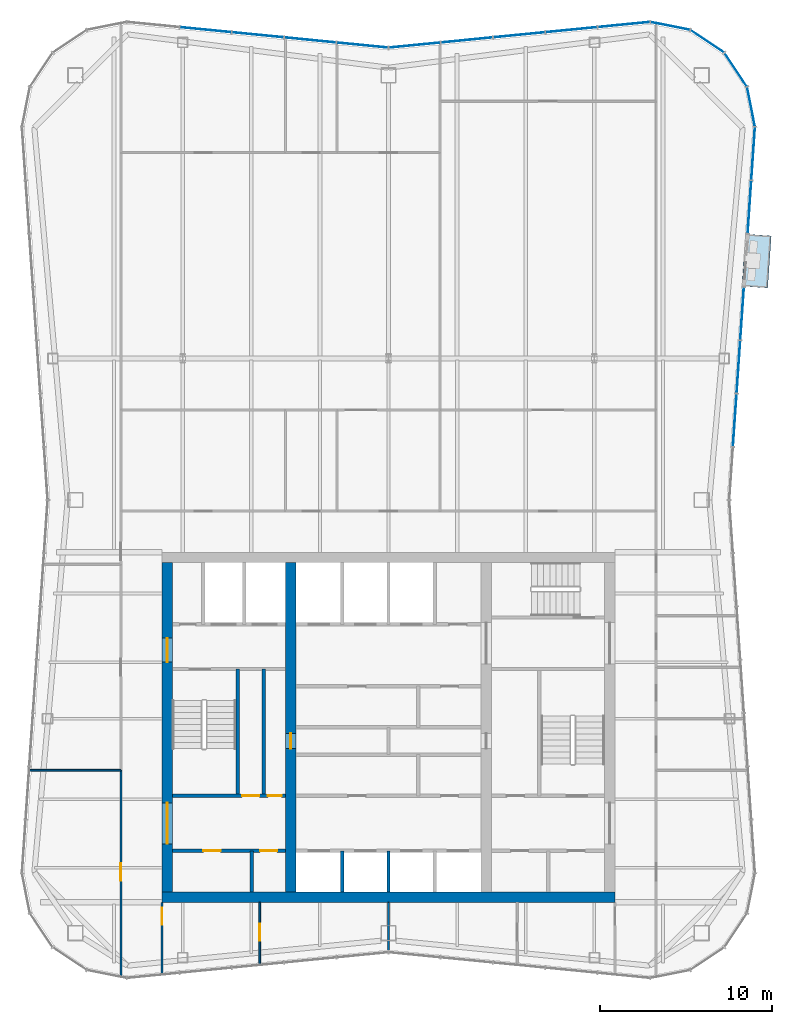
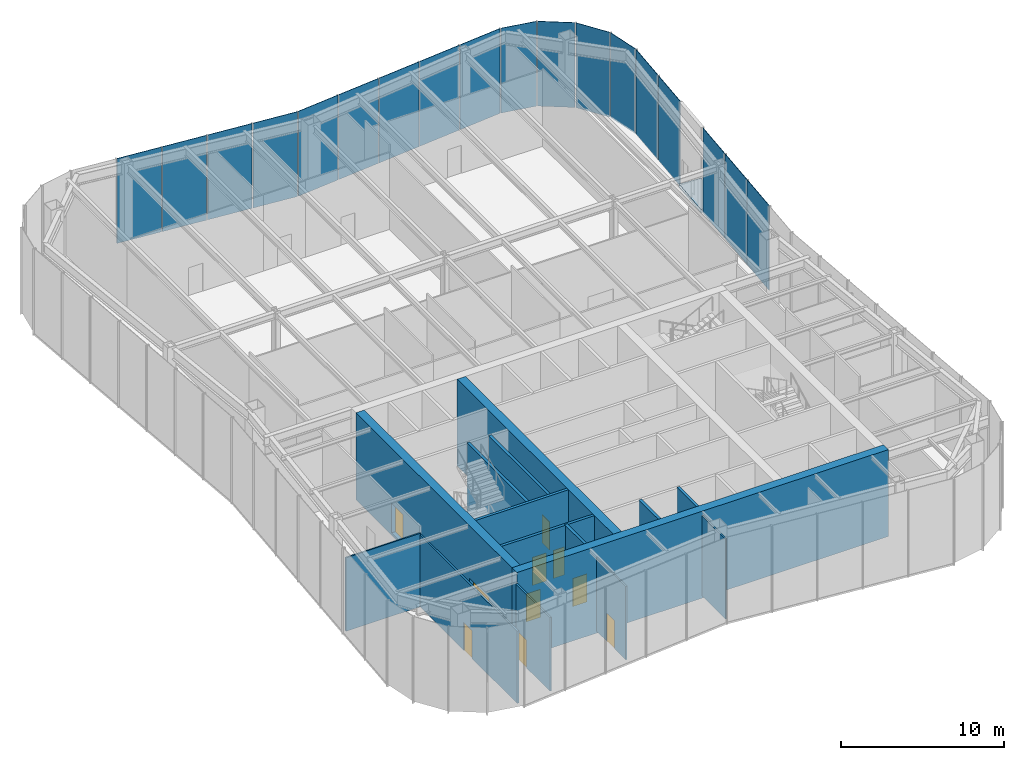
# One storey, part 9 of 15: 18 plates, 15 walls, 10 doors, 1 slab, 10 openings, 3 elements without a shape of their own.
"""IFC4 building model written with IfcOpenShell, lengths in metres."""

from ifc_helpers import new_model, si_unit, direction, frame, frame_2d, origin, origin_2d, place, context, subcontext, project, spatial, polyline, rectangle, outline, extrude, material, layer, layer_set, type_object, element, fill, aggregate, save


model = new_model("IFC4")

# Units and contexts
model_context = context("Model", 3, precision=1e-05, world=origin(), true_north=direction((0.0, 1.0)))
body_context = subcontext(model_context, "Body", "Model", "MODEL_VIEW")
ifc_project = project(units=[si_unit("LENGTHUNIT", "METRE"), si_unit("AREAUNIT", "SQUARE_METRE"), si_unit("VOLUMEUNIT", "CUBIC_METRE"), si_unit("PLANEANGLEUNIT", "RADIAN"), si_unit("MASSUNIT", "GRAM", prefix="KILO")], contexts=[model_context])

# Site, building, storey
site_placement = place(None, origin())
site = spatial("IfcSite", under=ifc_project, at=site_placement, CompositionType="ELEMENT")
building_placement = place(site_placement, origin())
building = spatial("IfcBuilding", under=site, at=building_placement, Name="Verdant Reach Tower", CompositionType="ELEMENT")
storey_placement = place(building_placement, frame((0.0, 0.0, 334.0)))
storey = spatial("IfcBuildingStorey", under=building, at=storey_placement, Name="L77", CompositionType="ELEMENT", Elevation=334.0)

# Slab
ifc_material_1 = material(Name="Concrete C35/45", Category="concrete")
ifc_layer_1 = layer(ifc_material_1, 0.25)
ifc_layer_set_1 = layer_set([ifc_layer_1], Name="EN-BALCONY SLAB")
slab_type = type_object("IfcSlabType", Name="EN-BALCONY SLAB", PredefinedType="FLOOR", material=ifc_layer_set_1)
slab_placement = place(storey_placement, frame((0.0, 0.0, -0.25)))
element("IfcSlab", 1, at=slab_placement, inside=storey, type_object=slab_type, Name="Balcony slab 1, L77", PredefinedType="FLOOR", context=body_context, shape_type="SweptSolid", body=[
    extrude(outline(polyline([(20.609619140625, 53.71337890625), (20.819091796875, 56.750732421875), (22.3154296875, 56.647705078125), (22.10595703125, 53.6103515625), (20.609619140625, 53.71337890625)])), origin(), (0.0, 0.0, 1.0), 0.25),
])

# Curtain wall, plates
ifc_material_2 = material(Name="Anodised aluminium", Category="aluminium")
curtain_wall_type = type_object("IfcCurtainWallType", Name="EN-CW SYSTEM Z5", PredefinedType="NOTDEFINED", material=ifc_material_2)
curtain_wall_1_placement = place(storey_placement, origin())
curtain_wall_1 = element("IfcCurtainWall", 2, at=curtain_wall_1_placement, inside=storey, type_object=curtain_wall_type, Name="Curtain wall east, L77", PredefinedType="NOTDEFINED")
ifc_material_3 = material(Name="Clear laminated glass", Category="glass")
ifc_layer_2 = layer(ifc_material_3, 0.035888671875)
ifc_layer_set_2 = layer_set([ifc_layer_2], Name="EN-PANEL CLEAR")
plate_type = type_object("IfcPlateType", Name="EN-PANEL CLEAR", PredefinedType="CURTAIN_PANEL", material=ifc_layer_set_2)
plate_1_placement = place(storey_placement, frame((20.18603515625, 45.90283203125, -0.219970703125), z_axis=(0.0, 0.0, 1.0), x_axis=(0.068802091615, 0.997630328423, 0.0)))
plate_1 = element("IfcPlate", 3, at=plate_1_placement, type_object=plate_type, Name="Glass panel east face part 2 2.1, L77", PredefinedType="CURTAIN_PANEL", context=body_context, shape_type="SweptSolid", body=[
    extrude(rectangle(XDim=3.048583984375, YDim=0.035888671875, at=origin_2d()), origin(), (0.0, 0.0, 1.0), 6.3701171875),
])
plate_2_placement = place(storey_placement, frame((20.400390625, 49.010009765625, -0.219970703125), z_axis=(0.0, 0.0, 1.0), x_axis=(0.068802091615, 0.997630328423, 0.0)))
plate_2 = element("IfcPlate", 4, at=plate_2_placement, type_object=plate_type, Name="Glass panel east face part 2 3.1, L77", PredefinedType="CURTAIN_PANEL", context=body_context, shape_type="SweptSolid", body=[
    extrude(rectangle(XDim=3.048583984375, YDim=0.035888671875, at=origin_2d()), origin(), (0.0, 0.0, 1.0), 6.3701171875),
])
plate_3_placement = place(storey_placement, frame((20.61474609375, 52.1171875, -0.219970703125), z_axis=(0.0, 0.0, 1.0), x_axis=(0.068802091615, 0.997630328423, 0.0)))
plate_3 = element("IfcPlate", 5, at=plate_3_placement, type_object=plate_type, Name="Glass panel east face part 2 4.1, L77", PredefinedType="CURTAIN_PANEL", context=body_context, shape_type="SweptSolid", body=[
    extrude(rectangle(XDim=3.048583984375, YDim=0.035888671875, at=origin_2d()), origin(), (0.0, 0.0, 1.0), 6.3701171875),
])
plate_4_placement = place(storey_placement, frame((21.043212890625, 58.331298828125, -0.219970703125), z_axis=(0.0, 0.0, 1.0), x_axis=(0.068802091615, 0.997630328423, 0.0)))
plate_4 = element("IfcPlate", 6, at=plate_4_placement, type_object=plate_type, Name="Glass panel east face part 2 6.1, L77", PredefinedType="CURTAIN_PANEL", context=body_context, shape_type="SweptSolid", body=[
    extrude(rectangle(XDim=3.048583984375, YDim=0.035888671875, at=origin_2d()), origin(), (0.0, 0.0, 1.0), 6.3701171875),
])
plate_5_placement = place(storey_placement, frame((21.257568359375, 61.446044921875, -0.219970703125), z_axis=(0.0, 0.0, 1.0), x_axis=(0.068480299779, 0.99765246882, 0.0)))
plate_5 = element("IfcPlate", 7, at=plate_5_placement, type_object=plate_type, Name="Glass panel east face part 2 7.1, L77", PredefinedType="CURTAIN_PANEL", context=body_context, shape_type="SweptSolid", body=[
    extrude(rectangle(XDim=3.063720703125, YDim=0.035888671875, at=origin_2d()), origin(), (0.0, 0.0, 1.0), 6.3701171875),
])
aggregate(curtain_wall_1, [plate_1, plate_2, plate_3, plate_4, plate_5])

curtain_wall_2_placement = place(storey_placement, origin())
curtain_wall_2 = element("IfcCurtainWall", 8, at=curtain_wall_2_placement, inside=storey, type_object=curtain_wall_type, Name="Curtain wall north-east corner, L77", PredefinedType="NOTDEFINED")
plate_6_placement = place(storey_placement, frame((21.132080078125, 64.173828125, -0.219970703125), z_axis=(0.0, 0.0, 1.0), x_axis=(-0.195576026696, 0.980688542699, 0.0)))
plate_6 = element("IfcPlate", 9, at=plate_6_placement, type_object=plate_type, Name="Glass panel north-east corner 1.1, L77", PredefinedType="CURTAIN_PANEL", context=body_context, shape_type="SweptSolid", body=[
    extrude(rectangle(XDim=2.312744140625, YDim=0.035888671875, at=origin_2d()), origin(), (0.0, 0.0, 1.0), 6.3701171875),
])
plate_7_placement = place(storey_placement, frame((20.23681640625, 66.33203125, -0.219970703125), z_axis=(0.0, 0.0, 1.0), x_axis=(-0.555596480355, 0.831452073794, 0.0)))
plate_7 = element("IfcPlate", 10, at=plate_7_placement, type_object=plate_type, Name="Glass panel north-east corner 2.1, L77", PredefinedType="CURTAIN_PANEL", context=body_context, shape_type="SweptSolid", body=[
    extrude(rectangle(XDim=2.320068359375, YDim=0.035888671875, at=origin_2d()), origin(), (0.0, 0.0, 1.0), 6.3701171875),
])
plate_8_placement = place(storey_placement, frame((18.58203125, 67.98681640625, -0.219970703125), z_axis=(0.0, 0.0, 1.0), x_axis=(-0.831452073794, 0.555596480355, 0.0)))
plate_8 = element("IfcPlate", 11, at=plate_8_placement, type_object=plate_type, Name="Glass panel north-east corner 3.1, L77", PredefinedType="CURTAIN_PANEL", context=body_context, shape_type="SweptSolid", body=[
    extrude(rectangle(XDim=2.320068359375, YDim=0.035888671875, at=origin_2d()), origin(), (0.0, 0.0, 1.0), 6.3701171875),
])
plate_9_placement = place(storey_placement, frame((16.4228515625, 68.88232421875, -0.219970703125), z_axis=(0.0, 0.0, 1.0), x_axis=(-0.980707834885, 0.195479263851, 0.0)))
plate_9 = element("IfcPlate", 12, at=plate_9_placement, type_object=plate_type, Name="Glass panel north-east corner 4.1, L77", PredefinedType="CURTAIN_PANEL", context=body_context, shape_type="SweptSolid", body=[
    extrude(rectangle(XDim=2.314453125, YDim=0.035888671875, at=origin_2d()), origin(), (0.0, 0.0, 1.0), 6.3701171875),
])
aggregate(curtain_wall_2, [plate_6, plate_7, plate_8, plate_9])

curtain_wall_3_placement = place(storey_placement, origin())
curtain_wall_3 = element("IfcCurtainWall", 13, at=curtain_wall_3_placement, inside=storey, type_object=curtain_wall_type, Name="Curtain wall north, L77", PredefinedType="NOTDEFINED")
plate_10_placement = place(storey_placement, frame((13.72216796875, 68.964599609375, -0.219970703125), z_axis=(0.0, 0.0, 1.0), x_axis=(-0.995236831236, -0.097486664476, 0.0)))
plate_10 = element("IfcPlate", 14, at=plate_10_placement, type_object=plate_type, Name="Glass panel north face part 1 1.1, L77", PredefinedType="CURTAIN_PANEL", context=body_context, shape_type="SweptSolid", body=[
    extrude(rectangle(XDim=3.015625, YDim=0.035888671875, at=origin_2d()), origin(), (0.0, 0.0, 1.0), 6.3701171875),
])
plate_11_placement = place(storey_placement, frame((10.663818359375, 68.66455078125, -0.219970703125), z_axis=(0.0, 0.0, 1.0), x_axis=(-0.995197410875, -0.09788826992, 0.0)))
plate_11 = element("IfcPlate", 15, at=plate_11_placement, type_object=plate_type, Name="Glass panel north face part 1 2.1, L77", PredefinedType="CURTAIN_PANEL", context=body_context, shape_type="SweptSolid", body=[
    extrude(rectangle(XDim=2.998779296875, YDim=0.035888671875, at=origin_2d()), origin(), (0.0, 0.0, 1.0), 6.3701171875),
])
plate_12_placement = place(storey_placement, frame((7.61376953125, 68.364501953125, -0.219970703125), z_axis=(0.0, 0.0, 1.0), x_axis=(-0.995197410875, -0.09788826992, 0.0)))
plate_12 = element("IfcPlate", 16, at=plate_12_placement, type_object=plate_type, Name="Glass panel north face part 1 3.1, L77", PredefinedType="CURTAIN_PANEL", context=body_context, shape_type="SweptSolid", body=[
    extrude(rectangle(XDim=2.998779296875, YDim=0.035888671875, at=origin_2d()), origin(), (0.0, 0.0, 1.0), 6.3701171875),
])
plate_13_placement = place(storey_placement, frame((4.563720703125, 68.064453125, -0.219970703125), z_axis=(0.0, 0.0, 1.0), x_axis=(-0.995197410875, -0.09788826992, 0.0)))
plate_13 = element("IfcPlate", 17, at=plate_13_placement, type_object=plate_type, Name="Glass panel north face part 1 4.1, L77", PredefinedType="CURTAIN_PANEL", context=body_context, shape_type="SweptSolid", body=[
    extrude(rectangle(XDim=2.998779296875, YDim=0.035888671875, at=origin_2d()), origin(), (0.0, 0.0, 1.0), 6.3701171875),
])
plate_14_placement = place(storey_placement, frame((1.519287109375, 67.7646484375, -0.219970703125), z_axis=(0.0, 0.0, 1.0), x_axis=(-0.995179688961, -0.098068275603, 0.0)))
plate_14 = element("IfcPlate", 18, at=plate_14_placement, type_object=plate_type, Name="Glass panel north face part 1 5.1, L77", PredefinedType="CURTAIN_PANEL", context=body_context, shape_type="SweptSolid", body=[
    extrude(rectangle(XDim=2.987548828125, YDim=0.035888671875, at=origin_2d()), origin(), (0.0, 0.0, 1.0), 6.3701171875),
])
plate_15_placement = place(storey_placement, frame((-1.519287109375, 67.7646484375, -0.219970703125), z_axis=(0.0, 0.0, 1.0), x_axis=(-0.995179688961, 0.098068275603, 0.0)))
plate_15 = element("IfcPlate", 19, at=plate_15_placement, type_object=plate_type, Name="Glass panel north face part 2 1.1, L77", PredefinedType="CURTAIN_PANEL", context=body_context, shape_type="SweptSolid", body=[
    extrude(rectangle(XDim=2.987548828125, YDim=0.035888671875, at=origin_2d()), origin(), (0.0, 0.0, 1.0), 6.3701171875),
])
plate_16_placement = place(storey_placement, frame((-4.563720703125, 68.064453125, -0.219970703125), z_axis=(0.0, 0.0, 1.0), x_axis=(-0.995197410875, 0.09788826992, 0.0)))
plate_16 = element("IfcPlate", 20, at=plate_16_placement, type_object=plate_type, Name="Glass panel north face part 2 2.1, L77", PredefinedType="CURTAIN_PANEL", context=body_context, shape_type="SweptSolid", body=[
    extrude(rectangle(XDim=2.998779296875, YDim=0.035888671875, at=origin_2d()), origin(), (0.0, 0.0, 1.0), 6.3701171875),
])
plate_17_placement = place(storey_placement, frame((-7.61376953125, 68.364501953125, -0.219970703125), z_axis=(0.0, 0.0, 1.0), x_axis=(-0.995197410875, 0.09788826992, 0.0)))
plate_17 = element("IfcPlate", 21, at=plate_17_placement, type_object=plate_type, Name="Glass panel north face part 2 3.1, L77", PredefinedType="CURTAIN_PANEL", context=body_context, shape_type="SweptSolid", body=[
    extrude(rectangle(XDim=2.998779296875, YDim=0.035888671875, at=origin_2d()), origin(), (0.0, 0.0, 1.0), 6.3701171875),
])
plate_18_placement = place(storey_placement, frame((-10.663818359375, 68.66455078125, -0.219970703125), z_axis=(0.0, 0.0, 1.0), x_axis=(-0.995197410875, 0.09788826992, 0.0)))
plate_18 = element("IfcPlate", 22, at=plate_18_placement, type_object=plate_type, Name="Glass panel north face part 2 4.1, L77", PredefinedType="CURTAIN_PANEL", context=body_context, shape_type="SweptSolid", body=[
    extrude(rectangle(XDim=2.998779296875, YDim=0.035888671875, at=origin_2d()), origin(), (0.0, 0.0, 1.0), 6.3701171875),
])
aggregate(curtain_wall_3, [plate_10, plate_11, plate_12, plate_13, plate_14, plate_15, plate_16, plate_17, plate_18])

# Wall, openings, doors
ifc_material_4 = material(Name="Gypsum board on steel studs", Category="steel")
ifc_layer_3 = layer(ifc_material_4, 0.199951171875)
ifc_layer_set_3 = layer_set([ifc_layer_3], Name="CO-WALL-ROOM")
wall_type_1 = type_object("IfcWallType", Name="CO-WALL-ROOM", PredefinedType="PARTITIONING", material=ifc_layer_set_3)
wall_1_placement = place(storey_placement, frame((-12.60009765625, 20.800048828125, 0.0), z_axis=(0.0, 0.0, 1.0), x_axis=(1.0, 0.0, 0.0)))
wall_1 = element("IfcWall", 23, at=wall_1_placement, inside=storey, type_object=wall_type_1, Name="Core partition, L77", PredefinedType="PARTITIONING", context=body_context, shape_type="SweptSolid", body=[
    extrude(rectangle(XDim=6.60009765625, YDim=0.199951171875, at=frame_2d((3.300048828125, 0.0))), origin(), (0.0, 0.0, 1.0), 6.35009765625),
])
opening_1_placement = place(wall_1_placement, frame((1.81005859375, 0.0, 0.0)))
opening_1 = element("IfcOpeningElement", 24, at=opening_1_placement, cuts=wall_1, Name="Opening CD", PredefinedType="OPENING", context=body_context, shape_type="SweptSolid", body=[
    extrude(rectangle(XDim=1.0, YDim=2.10009765625, at=frame_2d((0.5, 1.050048828125))), frame((0.0, 0.10986328125, 0.0), z_axis=(0.0, -1.0, 0.0), x_axis=(1.0, 0.0, 0.0)), (0.0, 0.0, 1.0), 0.219970703125),
])
opening_2_placement = place(wall_1_placement, frame((5.110107421875, 0.0, 0.0)))
opening_2 = element("IfcOpeningElement", 25, at=opening_2_placement, cuts=wall_1, Name="Opening CD", PredefinedType="OPENING", context=body_context, shape_type="SweptSolid", body=[
    extrude(rectangle(XDim=1.0, YDim=2.10009765625, at=frame_2d((0.5, 1.050048828125))), frame((0.0, 0.10986328125, 0.0), z_axis=(0.0, -1.0, 0.0), x_axis=(1.0, 0.0, 0.0)), (0.0, 0.0, 1.0), 0.219970703125),
])
ifc_material_5 = material(Name="Timber", Category="wood")
door_type_1 = type_object("IfcDoorType", Name="CO-DOOR-ROOM", OperationType="NOTDEFINED", PredefinedType="DOOR", material=ifc_material_5)
door_1_placement = place(opening_1_placement, origin())
door_1 = element("IfcDoor", 26, at=door_1_placement, inside=storey, type_object=door_type_1, Name="Core room door, L77", OperationType="SINGLE_SWING_LEFT", OverallHeight=2.10009765625, OverallWidth=1.0, PredefinedType="DOOR", context=body_context, shape_type="SweptSolid", body=[
    extrude(rectangle(XDim=1.0, YDim=2.10009765625, at=frame_2d((0.5, 1.050048828125))), frame((0.0, 0.02490234375, 0.0), z_axis=(0.0, -1.0, 0.0), x_axis=(1.0, 0.0, 0.0)), (0.0, 0.0, 1.0), 0.050048828125),
])
fill(opening_1, door_1)
door_2_placement = place(opening_2_placement, origin())
door_2 = element("IfcDoor", 27, at=door_2_placement, inside=storey, type_object=door_type_1, Name="Core room door, L77", OperationType="SINGLE_SWING_LEFT", OverallHeight=2.10009765625, OverallWidth=1.0, PredefinedType="DOOR", context=body_context, shape_type="SweptSolid", body=[
    extrude(rectangle(XDim=1.0, YDim=2.10009765625, at=frame_2d((0.5, 1.050048828125))), frame((0.0, 0.02490234375, 0.0), z_axis=(0.0, -1.0, 0.0), x_axis=(1.0, 0.0, 0.0)), (0.0, 0.0, 1.0), 0.050048828125),
])
fill(opening_2, door_2)

# Walls
wall_2_placement = place(storey_placement, frame((-7.97998046875, 18.39990234375, 0.0), z_axis=(0.0, 0.0, 1.0), x_axis=(0.0, 1.0, 0.0)))
element("IfcWall", 28, at=wall_2_placement, inside=storey, type_object=wall_type_1, Name="Core partition, L77", PredefinedType="PARTITIONING", context=body_context, shape_type="SweptSolid", body=[
    extrude(rectangle(XDim=2.400146484375, YDim=0.199951171875, at=frame_2d((1.2001953125, 0.0))), origin(), (0.0, 0.0, 1.0), 6.35009765625),
])
wall_3_placement = place(storey_placement, frame((-7.260009765625, 24.0, 0.0), z_axis=(0.0, 0.0, 1.0), x_axis=(0.0, 1.0, 0.0)))
element("IfcWall", 29, at=wall_3_placement, inside=storey, type_object=wall_type_1, Name="Core partition, L77", PredefinedType="PARTITIONING", context=body_context, shape_type="SweptSolid", body=[
    extrude(rectangle(XDim=7.39990234375, YDim=0.199951171875, at=frame_2d((3.699951171875, 0.0))), origin(), (0.0, 0.0, 1.0), 6.35009765625),
])
ifc_material_6 = material(Name="Concrete C40/50", Category="concrete")
ifc_layer_4 = layer(ifc_material_6, 0.199951171875)
ifc_layer_set_4 = layer_set([ifc_layer_4], Name="CO-WALL-SHAFT")
wall_type_2 = type_object("IfcWallType", Name="CO-WALL-SHAFT", PredefinedType="PARTITIONING", material=ifc_layer_set_4)
for number, where, z_axis, x_axis, name in (
    (30, (-2.699951171875, 18.39990234375, 0.0), (0.0, 0.0, 1.0), (0.0, 1.0, 0.0), "Lift shaft wall, L77"),
    (31, (0.0, 18.39990234375, 0.0), (0.0, 0.0, 1.0), (0.0, 1.0, 0.0), "Lift shaft wall, L77"),
):
    element("IfcWall", number, at=place(storey_placement, frame(where, z_axis=z_axis, x_axis=x_axis)), inside=storey, type_object=wall_type_2, Name=name, PredefinedType="PARTITIONING", context=body_context, shape_type="SweptSolid", body=[
        extrude(rectangle(XDim=2.400146484375, YDim=0.199951171875, at=frame_2d((1.2001953125, 0.0))), origin(), (0.0, 0.0, 1.0), 6.35009765625),
    ])

# Wall, openings, doors
ifc_layer_5 = layer(ifc_material_6, 0.199951171875)
ifc_layer_set_5 = layer_set([ifc_layer_5], Name="CO-WALL-STAIR")
wall_type_3 = type_object("IfcWallType", Name="CO-WALL-STAIR", PredefinedType="PARTITIONING", material=ifc_layer_set_5)
wall_4_placement = place(storey_placement, frame((-12.60009765625, 24.0, 0.0), z_axis=(0.0, 0.0, 1.0), x_axis=(1.0, 0.0, 0.0)))
wall_4 = element("IfcWall", 32, at=wall_4_placement, inside=storey, type_object=wall_type_3, Name="Stair enclosure wall, L77", PredefinedType="PARTITIONING", context=body_context, shape_type="SweptSolid", body=[
    extrude(rectangle(XDim=6.60009765625, YDim=0.199951171875, at=frame_2d((3.300048828125, 0.0))), origin(), (0.0, 0.0, 1.0), 6.35009765625),
])
opening_3_placement = place(wall_4_placement, frame((4.070068359375, 0.0, 0.0)))
opening_3 = element("IfcOpeningElement", 33, at=opening_3_placement, cuts=wall_4, Name="Opening CD", PredefinedType="OPENING", context=body_context, shape_type="SweptSolid", body=[
    extrude(rectangle(XDim=1.0, YDim=2.10009765625, at=frame_2d((0.5, 1.050048828125))), frame((0.0, 0.10986328125, 0.0), z_axis=(0.0, -1.0, 0.0), x_axis=(1.0, 0.0, 0.0)), (0.0, 0.0, 1.0), 0.219970703125),
])
opening_4_placement = place(wall_4_placement, frame((5.570068359375, 0.0, 0.0)))
opening_4 = element("IfcOpeningElement", 34, at=opening_4_placement, cuts=wall_4, Name="Opening CDN", PredefinedType="OPENING", context=body_context, shape_type="SweptSolid", body=[
    extrude(rectangle(XDim=0.800048828125, YDim=2.10009765625, at=frame_2d((0.39990234375, 1.050048828125))), frame((0.0, 0.10986328125, 0.0), z_axis=(0.0, -1.0, 0.0), x_axis=(1.0, 0.0, 0.0)), (0.0, 0.0, 1.0), 0.219970703125),
])
door_3_placement = place(opening_3_placement, origin())
door_3 = element("IfcDoor", 35, at=door_3_placement, inside=storey, type_object=door_type_1, Name="Core room door, L77", OperationType="SINGLE_SWING_RIGHT", OverallHeight=2.10009765625, OverallWidth=1.0, PredefinedType="DOOR", context=body_context, shape_type="SweptSolid", body=[
    extrude(rectangle(XDim=1.0, YDim=2.10009765625, at=frame_2d((0.5, 1.050048828125))), frame((0.0, 0.02490234375, 0.0), z_axis=(0.0, -1.0, 0.0), x_axis=(1.0, 0.0, 0.0)), (0.0, 0.0, 1.0), 0.050048828125),
])
fill(opening_3, door_3)
door_type_2 = type_object("IfcDoorType", Name="CO-DOOR-ROOM-NARROW", OperationType="NOTDEFINED", PredefinedType="DOOR", material=ifc_material_5)
door_4_placement = place(opening_4_placement, origin())
door_4 = element("IfcDoor", 36, at=door_4_placement, inside=storey, type_object=door_type_2, Name="Core room door, L77", OperationType="SINGLE_SWING_LEFT", OverallHeight=2.10009765625, OverallWidth=0.800048828125, PredefinedType="DOOR", context=body_context, shape_type="SweptSolid", body=[
    extrude(rectangle(XDim=0.800048828125, YDim=2.10009765625, at=frame_2d((0.39990234375, 1.050048828125))), frame((0.0, 0.02490234375, 0.0), z_axis=(0.0, -1.0, 0.0), x_axis=(1.0, 0.0, 0.0)), (0.0, 0.0, 1.0), 0.050048828125),
])
fill(opening_4, door_4)

# Walls
wall_5_placement = place(storey_placement, frame((-8.800048828125, 24.0, 0.0), z_axis=(0.0, 0.0, 1.0), x_axis=(0.0, 1.0, 0.0)))
element("IfcWall", 37, at=wall_5_placement, inside=storey, type_object=wall_type_3, Name="Stair enclosure wall, L77", PredefinedType="PARTITIONING", context=body_context, shape_type="SweptSolid", body=[
    extrude(rectangle(XDim=7.39990234375, YDim=0.199951171875, at=frame_2d((3.699951171875, 0.0))), origin(), (0.0, 0.0, 1.0), 6.35009765625),
])
ifc_layer_6 = layer(ifc_material_4, 0.10009765625)
ifc_layer_set_6 = layer_set([ifc_layer_6], Name="FL-W1 Partition 100")
wall_type_4 = type_object("IfcWallType", Name="FL-W1 Partition 100", PredefinedType="PARTITIONING", material=ifc_layer_set_6)
wall_6_placement = place(storey_placement, frame((-15.60009765625, 25.5, 0.0), z_axis=(0.0, 0.0, 1.0), x_axis=(-1.0, 0.0, 0.0)))
element("IfcWall", 38, at=wall_6_placement, inside=storey, type_object=wall_type_4, Name="Partition 77.15", PredefinedType="PARTITIONING", context=body_context, shape_type="SweptSolid", body=[
    extrude(rectangle(XDim=5.316162109375, YDim=0.10009765625, at=frame_2d((2.658203125, 0.0))), origin(), (0.0, 0.0, 1.0), 5.52001953125),
])

# Wall, opening, door
wall_7_placement = place(storey_placement, frame((-7.5, 17.800048828125, 0.0), z_axis=(0.0, 0.0, 1.0), x_axis=(0.0, -1.0, 0.0)))
wall_7 = element("IfcWall", 39, at=wall_7_placement, inside=storey, type_object=wall_type_4, Name="Partition 77.27", PredefinedType="PARTITIONING", context=body_context, shape_type="SweptSolid", body=[
    extrude(rectangle(XDim=3.61767578125, YDim=0.10009765625, at=frame_2d((1.808837890625, 0.0))), origin(), (0.0, 0.0, 1.0), 5.52001953125),
])
opening_5_placement = place(wall_7_placement, frame((1.24365234375, 0.0, 0.0)))
opening_5 = element("IfcOpeningElement", 40, at=opening_5_placement, cuts=wall_7, Name="Opening D3", PredefinedType="OPENING", context=body_context, shape_type="SweptSolid", body=[
    extrude(rectangle(XDim=1.0, YDim=2.10009765625, at=frame_2d((0.5, 1.050048828125))), frame((0.0, 0.06005859375, 0.0), z_axis=(0.0, -1.0, 0.0), x_axis=(1.0, 0.0, 0.0)), (0.0, 0.0, 1.0), 0.1201171875),
])
ifc_material_7 = material(Name="Painted timber door leaf", Category="wood")
door_type_3 = type_object("IfcDoorType", Name="FL-D3 Door 1000x2100", OperationType="NOTDEFINED", PredefinedType="DOOR", material=ifc_material_7)
door_5_placement = place(opening_5_placement, origin())
door_5 = element("IfcDoor", 41, at=door_5_placement, inside=storey, type_object=door_type_3, Name="Door 77-015", OperationType="SINGLE_SWING_LEFT", OverallHeight=2.10009765625, OverallWidth=1.0, PredefinedType="DOOR", context=body_context, shape_type="SweptSolid", body=[
    extrude(rectangle(XDim=1.0, YDim=2.10009765625, at=frame_2d((0.5, 1.050048828125))), frame((0.0, 0.02490234375, 0.0), z_axis=(0.0, -1.0, 0.0), x_axis=(1.0, 0.0, 0.0)), (0.0, 0.0, 1.0), 0.050048828125),
])
fill(opening_5, door_5)

# Wall
wall_8_placement = place(storey_placement, frame((0.0, 14.919921875, 0.0), z_axis=(0.0, 0.0, 1.0), x_axis=(0.0, 1.0, 0.0)))
element("IfcWall", 42, at=wall_8_placement, inside=storey, type_object=wall_type_4, Name="Partition 77.28", PredefinedType="PARTITIONING", context=body_context, shape_type="SweptSolid", body=[
    extrude(rectangle(XDim=2.880126953125, YDim=0.10009765625, at=frame_2d((1.43994140625, 0.0))), origin(), (0.0, 0.0, 1.0), 6.02001953125),
])

# Wall, opening, door
ifc_material_8 = material(Name="Gypsum board on steel studs, fire rated", Category="steel")
ifc_layer_7 = layer(ifc_material_8, 0.125)
ifc_layer_set_7 = layer_set([ifc_layer_7], Name="FL-W2 Corridor wall 125")
wall_type_5 = type_object("IfcWallType", Name="FL-W2 Corridor wall 125", PredefinedType="PARTITIONING", material=ifc_layer_set_7)
wall_9_placement = place(storey_placement, frame((-15.60009765625, 13.489501953125, 0.0), z_axis=(0.0, 0.0, 1.0), x_axis=(0.0, 1.0, 0.0)))
wall_9 = element("IfcWall", 43, at=wall_9_placement, inside=storey, type_object=wall_type_5, Name="Partition 77.01", PredefinedType="PARTITIONING", context=body_context, shape_type="SweptSolid", body=[
    extrude(rectangle(XDim=12.010498046875, YDim=0.125, at=frame_2d((6.00537109375, 0.0))), origin(), (0.0, 0.0, 1.0), 5.409912109375),
])
opening_6_placement = place(wall_9_placement, frame((5.57080078125, 0.0, 0.0)))
opening_6 = element("IfcOpeningElement", 44, at=opening_6_placement, cuts=wall_9, Name="Opening D2", PredefinedType="OPENING", context=body_context, shape_type="SweptSolid", body=[
    extrude(rectangle(XDim=1.0, YDim=2.10009765625, at=frame_2d((0.5, 1.050048828125))), frame((0.0, 0.072509765625, 0.0), z_axis=(0.0, -1.0, 0.0), x_axis=(1.0, 0.0, 0.0)), (0.0, 0.0, 1.0), 0.14501953125),
])
ifc_material_9 = material(Name="Timber door leaf, fire rated", Category="wood")
door_type_4 = type_object("IfcDoorType", Name="FL-D2 Entrance door 1000x2100 FD30", OperationType="NOTDEFINED", PredefinedType="DOOR", material=ifc_material_9)
door_6_placement = place(opening_6_placement, origin())
door_6 = element("IfcDoor", 45, at=door_6_placement, inside=storey, type_object=door_type_4, Name="Door 77-001", OperationType="SINGLE_SWING_RIGHT", OverallHeight=2.10009765625, OverallWidth=1.0, PredefinedType="DOOR", context=body_context, shape_type="SweptSolid", body=[
    extrude(rectangle(XDim=1.0, YDim=2.10009765625, at=frame_2d((0.5, 1.050048828125))), frame((0.0, 0.02490234375, 0.0), z_axis=(0.0, -1.0, 0.0), x_axis=(1.0, 0.0, 0.0)), (0.0, 0.0, 1.0), 0.050048828125),
])
fill(opening_6, door_6)

wall_10_placement = place(storey_placement, frame((-13.199951171875, 17.800048828125, 0.0), z_axis=(0.0, 0.0, 1.0), x_axis=(0.0, -1.0, 0.0)))
wall_10 = element("IfcWall", 46, at=wall_10_placement, inside=storey, type_object=wall_type_5, Name="Partition 77.09", PredefinedType="PARTITIONING", context=body_context, shape_type="SweptSolid", body=[
    extrude(rectangle(XDim=4.178466796875, YDim=0.125, at=frame_2d((2.08935546875, 0.0))), origin(), (0.0, 0.0, 1.0), 5.52001953125),
])
opening_7_placement = place(wall_10_placement, frame((0.32421875, 0.0, 0.0)))
opening_7 = element("IfcOpeningElement", 47, at=opening_7_placement, cuts=wall_10, Name="Opening D2", PredefinedType="OPENING", context=body_context, shape_type="SweptSolid", body=[
    extrude(rectangle(XDim=1.0, YDim=2.10009765625, at=frame_2d((0.5, 1.050048828125))), frame((0.0, 0.072509765625, 0.0), z_axis=(0.0, -1.0, 0.0), x_axis=(1.0, 0.0, 0.0)), (0.0, 0.0, 1.0), 0.14501953125),
])
door_7_placement = place(opening_7_placement, origin())
door_7 = element("IfcDoor", 48, at=door_7_placement, inside=storey, type_object=door_type_4, Name="Door 77-009", OperationType="SINGLE_SWING_LEFT", OverallHeight=2.10009765625, OverallWidth=1.0, PredefinedType="DOOR", context=body_context, shape_type="SweptSolid", body=[
    extrude(rectangle(XDim=1.0, YDim=2.10009765625, at=frame_2d((0.5, 1.050048828125))), frame((0.0, 0.02490234375, 0.0), z_axis=(0.0, -1.0, 0.0), x_axis=(1.0, 0.0, 0.0)), (0.0, 0.0, 1.0), 0.050048828125),
])
fill(opening_7, door_7)

# Wall
ifc_material_10 = material(Name="Concrete C70/85", Category="concrete")
ifc_layer_8 = layer(ifc_material_10, 0.60009765625)
ifc_layer_set_8 = layer_set([ifc_layer_8], Name="ST-CORE-WALL-600")
wall_type_6 = type_object("IfcWallType", Name="ST-CORE-WALL-600", PredefinedType="SHEAR", material=ifc_layer_set_8)
wall_11_placement = place(storey_placement, frame((-13.199951171875, 18.10009765625, -0.179931640625), z_axis=(0.0, 0.0, 1.0), x_axis=(1.0, 0.0, 0.0)))
element("IfcWall", 49, at=wall_11_placement, inside=storey, type_object=wall_type_6, Name="Core wall S, L77", PredefinedType="SHEAR", context=body_context, shape_type="SweptSolid", body=[
    extrude(rectangle(XDim=26.39990234375, YDim=0.60009765625, at=frame_2d((13.199951171875, 0.0))), origin(), (0.0, 0.0, 1.0), 6.530029296875),
])

# Wall, openings, doors
wall_12_placement = place(storey_placement, frame((-12.89990234375, 18.39990234375, -0.179931640625), z_axis=(0.0, 0.0, 1.0), x_axis=(0.0, 1.0, 0.0)))
wall_12 = element("IfcWall", 50, at=wall_12_placement, inside=storey, type_object=wall_type_6, Name="Core wall W, L77", PredefinedType="SHEAR", context=body_context, shape_type="SweptSolid", body=[
    extrude(rectangle(XDim=19.2001953125, YDim=0.60009765625, at=frame_2d((9.60009765625, 0.0))), origin(), (0.0, 0.0, 1.0), 6.530029296875),
])
opening_8_placement = place(wall_12_placement, frame((2.800048828125, 0.0, 0.179931640625)))
opening_8 = element("IfcOpeningElement", 51, at=opening_8_placement, cuts=wall_12, Name="Opening LB", PredefinedType="OPENING", context=body_context, shape_type="SweptSolid", body=[
    extrude(rectangle(XDim=2.39990234375, YDim=2.39990234375, at=frame_2d((1.199951171875, 1.199951171875))), frame((0.0, 0.31005859375, 0.0), z_axis=(0.0, -1.0, 0.0), x_axis=(1.0, 0.0, 0.0)), (0.0, 0.0, 1.0), 0.6201171875),
])
opening_9_placement = place(wall_12_placement, frame((13.39990234375, 0.0, 0.179931640625)))
opening_9 = element("IfcOpeningElement", 52, at=opening_9_placement, cuts=wall_12, Name="Opening FL", PredefinedType="OPENING", context=body_context, shape_type="SweptSolid", body=[
    extrude(rectangle(XDim=1.39990234375, YDim=2.199951171875, at=frame_2d((0.699951171875, 1.10009765625))), frame((0.0, 0.31005859375, 0.0), z_axis=(0.0, -1.0, 0.0), x_axis=(1.0, 0.0, 0.0)), (0.0, 0.0, 1.0), 0.6201171875),
])
ifc_material_11 = material(Name="Steel", Category="steel")
door_type_5 = type_object("IfcDoorType", Name="CO-DOOR-FFL", OperationType="NOTDEFINED", PredefinedType="DOOR", material=ifc_material_11)
door_8_placement = place(opening_9_placement, origin())
door_8 = element("IfcDoor", 53, at=door_8_placement, inside=storey, type_object=door_type_5, Name="Core entrance door, L77", OperationType="SINGLE_SWING_RIGHT", OverallHeight=2.199951171875, OverallWidth=1.39990234375, PredefinedType="DOOR", context=body_context, shape_type="SweptSolid", body=[
    extrude(rectangle(XDim=1.39990234375, YDim=2.199951171875, at=frame_2d((0.699951171875, 1.10009765625))), frame((0.0, 0.02490234375, 0.0), z_axis=(0.0, -1.0, 0.0), x_axis=(1.0, 0.0, 0.0)), (0.0, 0.0, 1.0), 0.050048828125),
])
fill(opening_9, door_8)
ifc_material_12 = material(Name="Glass and steel", Category="steel")
door_type_6 = type_object("IfcDoorType", Name="CO-DOOR-LOBBY", OperationType="DOUBLE_DOOR_SINGLE_SWING", PredefinedType="DOOR", material=ifc_material_12)
door_9_placement = place(opening_8_placement, origin())
door_9 = element("IfcDoor", 54, at=door_9_placement, inside=storey, type_object=door_type_6, Name="Core entrance door, L77", OperationType="DOUBLE_DOOR_SINGLE_SWING", OverallHeight=2.39990234375, OverallWidth=2.39990234375, PredefinedType="DOOR", context=body_context, shape_type="SweptSolid", body=[
    extrude(rectangle(XDim=2.39990234375, YDim=2.39990234375, at=frame_2d((1.199951171875, 1.199951171875))), frame((0.0, 0.02490234375, 0.0), z_axis=(0.0, -1.0, 0.0), x_axis=(1.0, 0.0, 0.0)), (0.0, 0.0, 1.0), 0.050048828125),
])
fill(opening_8, door_9)

# Wall, opening, door
wall_13_placement = place(storey_placement, frame((-5.699951171875, 18.39990234375, -0.179931640625), z_axis=(0.0, 0.0, 1.0), x_axis=(0.0, 1.0, 0.0)))
wall_13 = element("IfcWall", 55, at=wall_13_placement, inside=storey, type_object=wall_type_6, Name="Core wall XW, L77", PredefinedType="SHEAR", context=body_context, shape_type="SweptSolid", body=[
    extrude(rectangle(XDim=19.2001953125, YDim=0.60009765625, at=frame_2d((9.60009765625, 0.0))), origin(), (0.0, 0.0, 1.0), 6.530029296875),
])
opening_10_placement = place(wall_13_placement, frame((8.35009765625, 0.0, 0.179931640625)))
opening_10 = element("IfcOpeningElement", 56, at=opening_10_placement, cuts=wall_13, Name="Opening RD", PredefinedType="OPENING", context=body_context, shape_type="SweptSolid", body=[
    extrude(rectangle(XDim=0.89990234375, YDim=2.10009765625, at=frame_2d((0.449951171875, 1.050048828125))), frame((0.0, 0.31005859375, 0.0), z_axis=(0.0, -1.0, 0.0), x_axis=(1.0, 0.0, 0.0)), (0.0, 0.0, 1.0), 0.6201171875),
])
door_type_7 = type_object("IfcDoorType", Name="CO-DOOR-RISER", OperationType="NOTDEFINED", PredefinedType="DOOR", material=ifc_material_11)
door_10_placement = place(opening_10_placement, origin())
door_10 = element("IfcDoor", 57, at=door_10_placement, inside=storey, type_object=door_type_7, Name="Riser door, L77", OperationType="SINGLE_SWING_LEFT", OverallHeight=2.10009765625, OverallWidth=0.89990234375, PredefinedType="DOOR", context=body_context, shape_type="SweptSolid", body=[
    extrude(rectangle(XDim=0.89990234375, YDim=2.10009765625, at=frame_2d((0.449951171875, 1.050048828125))), frame((0.0, 0.02490234375, 0.0), z_axis=(0.0, -1.0, 0.0), x_axis=(1.0, 0.0, 0.0)), (0.0, 0.0, 1.0), 0.050048828125),
])
fill(opening_10, door_10)

save(model, "model.ifc")
